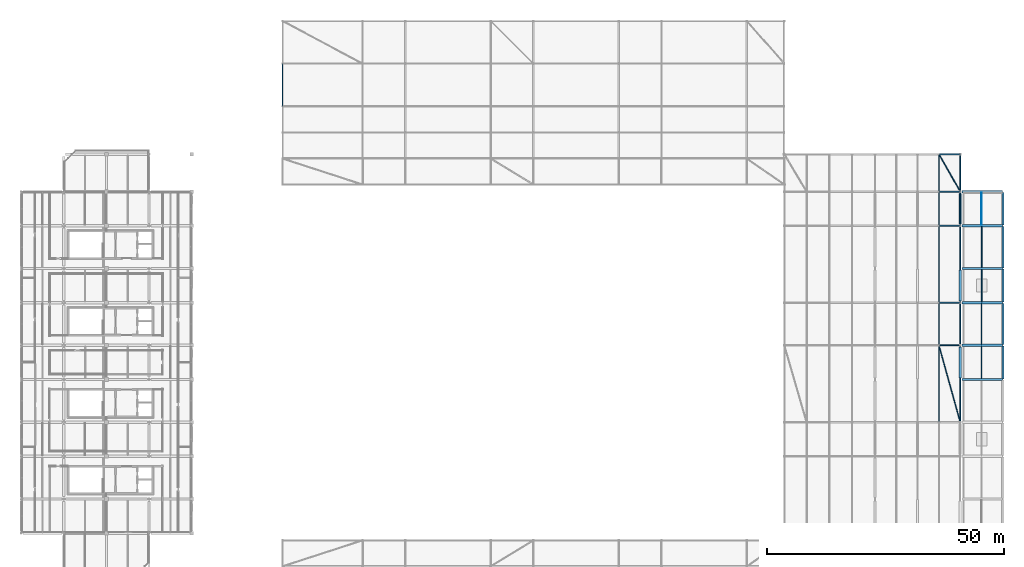
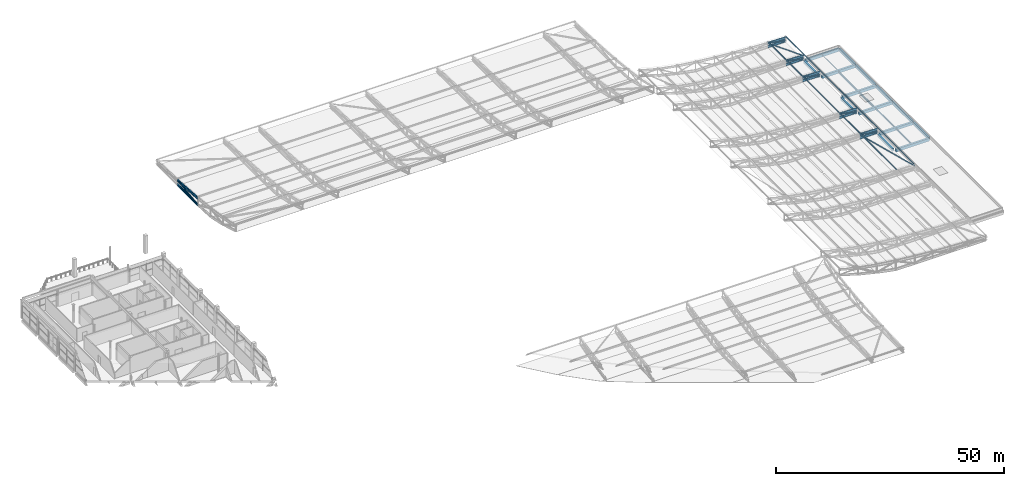
# One storey, part 67 of 114: 31 beams, 18 members.
"""IFC4 building model written with IfcOpenShell, lengths in metres."""

from ifc_helpers import new_model, si_unit, direction, frame, origin, origin_2d, place, context, subcontext, project, spatial, rectangle, hollow_rectangle, hollow_circle, i_section, extrude, material, material_profile, profile_set, type_object, element, save


model = new_model("IFC4")

# Units and contexts
model_context = context("Model", 3, precision=1e-05, world=origin(), true_north=direction((0.0, 1.0)))
body_context = subcontext(model_context, "Body", "Model", "MODEL_VIEW")
ifc_project = project(units=[si_unit("LENGTHUNIT", "METRE"), si_unit("AREAUNIT", "SQUARE_METRE"), si_unit("VOLUMEUNIT", "CUBIC_METRE"), si_unit("PLANEANGLEUNIT", "RADIAN"), si_unit("MASSUNIT", "GRAM", prefix="KILO"), si_unit("THERMODYNAMICTEMPERATUREUNIT", "KELVIN"), si_unit("POWERUNIT", "WATT")], contexts=[model_context])

# Site, building, storey
site_placement = place(None, origin())
site = spatial("IfcSite", under=ifc_project, at=site_placement, CompositionType="ELEMENT")
building_placement = place(site_placement, origin())
building = spatial("IfcBuilding", under=site, at=building_placement, Name="Sindhuravela Promenade Stadium", CompositionType="ELEMENT")
storey_placement = place(building_placement, frame((0.0, 0.0, 24.0)))
storey = spatial("IfcBuildingStorey", under=building, at=storey_placement, Name="L05", CompositionType="ELEMENT", Elevation=24.0)

# Beams
ifc_material_1 = material(Name="Concrete M40", Category="concrete")
ifc_material_profile_1 = material_profile(ifc_material_1, rectangle(XDim=0.449951171875, YDim=0.699951171875, at=origin_2d()), Name="RC 450x700")
ifc_profile_set_1 = profile_set([ifc_material_profile_1], Name="Concrete M40")
beam_type_1 = type_object("IfcBeamType", Name="RC-BM-450x700", PredefinedType="BEAM", material=ifc_profile_set_1)
beam_1_placement = place(storey_placement, frame((198.0, 77.764892578125, -0.594970703125), z_axis=(0.0, 1.0, 0.0), x_axis=(-1.0, 0.0, 0.0)))
element("IfcBeam", 1, at=beam_1_placement, inside=storey, type_object=beam_type_1, Name="Primary beam GB07 EAST L05", PredefinedType="BEAM", context=body_context, shape_type="SweptSolid", body=[
    extrude(rectangle(XDim=0.449951171875, YDim=0.699951171875, at=origin_2d()), origin(), (0.0, 0.0, 1.0), 6.47021484375),
])
for number, where, z_axis, x_axis, name in (
    (2, (198.0, 93.965087890625, -0.594970703125), (0.0, 1.0, 0.0), (-1.0, 0.0, 0.0), "Primary beam GB07 EAST L05"),
    (3, (198.0, 110.1650390625, -0.594970703125), (0.0, 1.0, 0.0), (-1.0, 0.0, 0.0), "Primary beam GB07 EAST L05"),
):
    element("IfcBeam", number, at=place(storey_placement, frame(where, z_axis=z_axis, x_axis=x_axis)), inside=storey, type_object=beam_type_1, Name=name, PredefinedType="BEAM", context=body_context, shape_type="SweptSolid", body=[
        extrude(rectangle(XDim=0.449951171875, YDim=0.699951171875, at=origin_2d()), origin(), (0.0, 0.0, 1.0), 6.469970703125),
    ])
beam_2_placement = place(storey_placement, frame((207.0, 77.5400390625, -0.594970703125), z_axis=(0.0, 1.0, 0.0), x_axis=(-1.0, 0.0, 0.0)))
element("IfcBeam", 4, at=beam_2_placement, inside=storey, type_object=beam_type_1, Name="Primary beam GB07 EAST L05", PredefinedType="BEAM", context=body_context, shape_type="SweptSolid", body=[
    extrude(rectangle(XDim=0.449951171875, YDim=0.699951171875, at=origin_2d()), origin(), (0.0, 0.0, 1.0), 6.919921875),
])
beam_3_placement = place(storey_placement, frame((207.0, 84.739990234375, -0.594970703125), z_axis=(0.0, 1.0, 0.0), x_axis=(-1.0, 0.0, 0.0)))
element("IfcBeam", 5, at=beam_3_placement, inside=storey, type_object=beam_type_1, Name="Primary beam GB07 EAST L05", PredefinedType="BEAM", context=body_context, shape_type="SweptSolid", body=[
    extrude(rectangle(XDim=0.449951171875, YDim=0.699951171875, at=origin_2d()), origin(), (0.0, 0.0, 1.0), 8.719970703125),
])
beam_4_placement = place(storey_placement, frame((207.0, 93.739990234375, -0.594970703125), z_axis=(0.0, 1.0, 0.0), x_axis=(-1.0, 0.0, 0.0)))
element("IfcBeam", 6, at=beam_4_placement, inside=storey, type_object=beam_type_1, Name="Primary beam GB07 EAST L05", PredefinedType="BEAM", context=body_context, shape_type="SweptSolid", body=[
    extrude(rectangle(XDim=0.449951171875, YDim=0.699951171875, at=origin_2d()), origin(), (0.0, 0.0, 1.0), 6.919921875),
])
beam_5_placement = place(storey_placement, frame((207.0, 100.93994140625, -0.594970703125), z_axis=(0.0, 1.0, 0.0), x_axis=(-1.0, 0.0, 0.0)))
element("IfcBeam", 7, at=beam_5_placement, inside=storey, type_object=beam_type_1, Name="Primary beam GB07 EAST L05", PredefinedType="BEAM", context=body_context, shape_type="SweptSolid", body=[
    extrude(rectangle(XDim=0.449951171875, YDim=0.699951171875, at=origin_2d()), origin(), (0.0, 0.0, 1.0), 8.719970703125),
])
beam_6_placement = place(storey_placement, frame((207.0, 109.93994140625, -0.594970703125), z_axis=(0.0, 1.0, 0.0), x_axis=(-1.0, 0.0, 0.0)))
element("IfcBeam", 8, at=beam_6_placement, inside=storey, type_object=beam_type_1, Name="Primary beam GB07 EAST L05", PredefinedType="BEAM", context=body_context, shape_type="SweptSolid", body=[
    extrude(rectangle(XDim=0.449951171875, YDim=0.699951171875, at=origin_2d()), origin(), (0.0, 0.0, 1.0), 6.920166015625),
])
ifc_material_profile_2 = material_profile(ifc_material_1, rectangle(XDim=0.5, YDim=0.75, at=origin_2d()), Name="RC 500x750")
ifc_profile_set_2 = profile_set([ifc_material_profile_2], Name="Concrete M40")
beam_type_2 = type_object("IfcBeamType", Name="RC-BM-500x750", PredefinedType="BEAM", material=ifc_profile_set_2)
for number, where, z_axis, x_axis, name in (
    (9, (198.364990234375, 77.39990234375, -0.6201171875), (1.0, 0.0, 0.0), (0.0, 1.0, 0.0), "Primary girder GB06 EAST L05"),
    (10, (198.364990234375, 84.60009765625, -0.6201171875), (1.0, 0.0, 0.0), (0.0, 1.0, 0.0), "Primary girder GB06 EAST L05"),
    (11, (198.364990234375, 93.60009765625, -0.6201171875), (1.0, 0.0, 0.0), (0.0, 1.0, 0.0), "Primary girder GB06 EAST L05"),
    (12, (198.364990234375, 100.800048828125, -0.6201171875), (1.0, 0.0, 0.0), (0.0, 1.0, 0.0), "Primary girder GB06 EAST L05"),
    (13, (198.364990234375, 109.800048828125, -0.6201171875), (1.0, 0.0, 0.0), (0.0, 1.0, 0.0), "Primary girder GB06 EAST L05"),
    (14, (198.364990234375, 117.0, -0.6201171875), (1.0, 0.0, 0.0), (0.0, 1.0, 0.0), "Primary girder GB06 EAST L05"),
):
    element("IfcBeam", number, at=place(storey_placement, frame(where, z_axis=z_axis, x_axis=x_axis)), inside=storey, type_object=beam_type_2, Name=name, PredefinedType="BEAM", context=body_context, shape_type="SweptSolid", body=[
        extrude(rectangle(XDim=0.5, YDim=0.75, at=origin_2d()), origin(), (0.0, 0.0, 1.0), 8.4951171875),
    ])
ifc_material_2 = material(Name="Steel E350 (IS 2062 E350BR)", Category="steel")
ifc_material_profile_3 = material_profile(ifc_material_2, hollow_rectangle(XDim=0.10009765625, YDim=0.199951171875, WallThickness=0.008056640625, at=origin_2d()), Name="RHS 200x100x8")
ifc_profile_set_3 = profile_set([ifc_material_profile_3], Name="Steel E350 (IS 2062 E350BR)")
beam_type_3 = type_object("IfcBeamType", Name="ST-BM-LNT200", PredefinedType="LINTEL", material=ifc_profile_set_3)
beam_7_placement = place(storey_placement, frame((202.5, 110.0400390625, -0.344970703125), z_axis=(0.0, 1.0, 0.0), x_axis=(-1.0, 0.0, 0.0)))
element("IfcBeam", 15, at=beam_7_placement, inside=storey, type_object=beam_type_3, Name="Secondary floor joist LN01 EAST L05", PredefinedType="LINTEL", context=body_context, shape_type="SweptSolid", body=[
    extrude(hollow_rectangle(XDim=0.10009765625, YDim=0.199951171875, WallThickness=0.008056640625, at=origin_2d()), origin(), (0.0, 0.0, 1.0), 6.719970703125),
])
ifc_material_profile_4 = material_profile(ifc_material_2, i_section(OverallWidth=0.139892578125, OverallDepth=0.39990234375, WebThickness=0.0087890625, FlangeThickness=0.01611328125, FilletRadius=0.013916015625, at=origin_2d()), Name="ISMB 400")
ifc_profile_set_4 = profile_set([ifc_material_profile_4], Name="Steel E350 (IS 2062 E350BR)")
beam_type_4 = type_object("IfcBeamType", Name="ST-BM-MB400", PredefinedType="BEAM", material=ifc_profile_set_4)
beam_8_placement = place(storey_placement, frame((202.5, 77.639892578125, -0.445068359375), z_axis=(0.0, 1.0, 0.0), x_axis=(-1.0, 0.0, 0.0)))
element("IfcBeam", 16, at=beam_8_placement, inside=storey, type_object=beam_type_4, Name="Secondary floor joist SB05 EAST L05", PredefinedType="BEAM", context=body_context, shape_type="SweptSolid", body=[
    extrude(i_section(OverallWidth=0.139892578125, OverallDepth=0.39990234375, WebThickness=0.0087890625, FlangeThickness=0.01611328125, FilletRadius=0.013916015625, at=origin_2d()), origin(), (0.0, 0.0, 1.0), 6.72021484375),
])
ifc_material_profile_5 = material_profile(ifc_material_2, i_section(OverallWidth=0.14990234375, OverallDepth=0.449951171875, WebThickness=0.009521484375, FlangeThickness=0.017333984375, FilletRadius=0.014892578125, at=origin_2d()), Name="ISMB 450")
ifc_profile_set_5 = profile_set([ifc_material_profile_5], Name="Steel E350 (IS 2062 E350BR)")
beam_type_5 = type_object("IfcBeamType", Name="ST-BM-MB450", PredefinedType="BEAM", material=ifc_profile_set_5)
beam_9_placement = place(storey_placement, frame((202.5, 84.840087890625, -0.469970703125), z_axis=(0.0, 1.0, 0.0), x_axis=(-1.0, 0.0, 0.0)))
element("IfcBeam", 17, at=beam_9_placement, inside=storey, type_object=beam_type_5, Name="Secondary floor joist SB06 EAST L05", PredefinedType="BEAM", context=body_context, shape_type="SweptSolid", body=[
    extrude(i_section(OverallWidth=0.14990234375, OverallDepth=0.449951171875, WebThickness=0.009521484375, FlangeThickness=0.017333984375, FilletRadius=0.014892578125, at=origin_2d()), origin(), (0.0, 0.0, 1.0), 8.52001953125),
])
ifc_material_profile_6 = material_profile(ifc_material_2, i_section(OverallWidth=0.18994140625, OverallDepth=0.550048828125, WebThickness=0.01123046875, FlangeThickness=0.019287109375, FilletRadius=0.01806640625, at=origin_2d()), Name="ISMB 550")
ifc_profile_set_6 = profile_set([ifc_material_profile_6], Name="Steel E350 (IS 2062 E350BR)")
beam_type_6 = type_object("IfcBeamType", Name="ST-BM-MB550", PredefinedType="SPANDREL", material=ifc_profile_set_6)
beam_10_placement = place(storey_placement, frame((202.5, 93.840087890625, -0.52001953125), z_axis=(0.0, 1.0, 0.0), x_axis=(-1.0, 0.0, 0.0)))
element("IfcBeam", 18, at=beam_10_placement, inside=storey, type_object=beam_type_6, Name="Secondary floor joist SB08 EAST L05", PredefinedType="SPANDREL", context=body_context, shape_type="SweptSolid", body=[
    extrude(i_section(OverallWidth=0.18994140625, OverallDepth=0.550048828125, WebThickness=0.01123046875, FlangeThickness=0.019287109375, FilletRadius=0.01806640625, at=origin_2d()), origin(), (0.0, 0.0, 1.0), 6.719970703125),
])
ifc_material_profile_7 = material_profile(ifc_material_2, i_section(OverallWidth=0.2099609375, OverallDepth=0.60009765625, WebThickness=0.011962890625, FlangeThickness=0.020751953125, FilletRadius=0.02001953125, at=origin_2d()), Name="ISMB 600")
ifc_profile_set_7 = profile_set([ifc_material_profile_7], Name="Steel E350 (IS 2062 E350BR)")
beam_type_7 = type_object("IfcBeamType", Name="ST-BM-MB600", PredefinedType="BEAM", material=ifc_profile_set_7)
beam_11_placement = place(storey_placement, frame((202.5, 101.0400390625, -0.544921875), z_axis=(0.0, 1.0, 0.0), x_axis=(-1.0, 0.0, 0.0)))
element("IfcBeam", 19, at=beam_11_placement, inside=storey, type_object=beam_type_7, Name="Secondary floor joist SB09 EAST L05", PredefinedType="BEAM", context=body_context, shape_type="SweptSolid", body=[
    extrude(i_section(OverallWidth=0.2099609375, OverallDepth=0.60009765625, WebThickness=0.011962890625, FlangeThickness=0.020751953125, FilletRadius=0.02001953125, at=origin_2d()), origin(), (0.0, 0.0, 1.0), 8.52001953125),
])
ifc_material_profile_8 = material_profile(ifc_material_2, i_section(OverallWidth=0.25, OverallDepth=0.60009765625, WebThickness=0.01171875, FlangeThickness=0.023681640625, FilletRadius=0.01708984375, at=origin_2d()), Name="ISWB 600")
ifc_profile_set_8 = profile_set([ifc_material_profile_8], Name="Steel E350 (IS 2062 E350BR)")
beam_type_8 = type_object("IfcBeamType", Name="ST-BM-WB600", PredefinedType="USERDEFINED", material=ifc_profile_set_8)
beam_12_placement = place(storey_placement, frame((198.0, 84.60009765625, 0.800048828125), z_axis=(-0.9995790230322986, 0.0, 0.02901338852659938), x_axis=(0.0, -1.0, 0.0)))
element("IfcBeam", 20, at=beam_12_placement, inside=storey, type_object=beam_type_8, Name="Roof truss RT-E05 top chord 1", ObjectType="ROOF TRUSS", PredefinedType="USERDEFINED", context=body_context, shape_type="SweptSolid", body=[
    extrude(i_section(OverallWidth=0.25, OverallDepth=0.60009765625, WebThickness=0.01171875, FlangeThickness=0.023681640625, FilletRadius=0.01708984375, at=origin_2d()), origin(), (0.0, 0.0, 1.0), 4.501953125),
])
beam_13_placement = place(storey_placement, frame((198.0, 84.60009765625, 0.0), z_axis=(-1.0, 0.0, 0.0), x_axis=(0.0, -1.0, 0.0)))
element("IfcBeam", 21, at=beam_13_placement, inside=storey, type_object=beam_type_8, Name="Roof truss RT-E05 bottom chord 1", ObjectType="ROOF TRUSS", PredefinedType="USERDEFINED", context=body_context, shape_type="SweptSolid", body=[
    extrude(i_section(OverallWidth=0.25, OverallDepth=0.60009765625, WebThickness=0.01171875, FlangeThickness=0.023681640625, FilletRadius=0.01708984375, at=origin_2d()), origin(), (0.0, 0.0, 1.0), 4.5),
])
beam_14_placement = place(storey_placement, frame((198.0, 93.60009765625, 0.800048828125), z_axis=(-0.9995790230322986, 0.0, 0.02901338852659938), x_axis=(0.0, -1.0, 0.0)))
element("IfcBeam", 22, at=beam_14_placement, inside=storey, type_object=beam_type_8, Name="Roof truss RT-E06 top chord 1", ObjectType="ROOF TRUSS", PredefinedType="USERDEFINED", context=body_context, shape_type="SweptSolid", body=[
    extrude(i_section(OverallWidth=0.25, OverallDepth=0.60009765625, WebThickness=0.01171875, FlangeThickness=0.023681640625, FilletRadius=0.01708984375, at=origin_2d()), origin(), (0.0, 0.0, 1.0), 4.501953125),
])
beam_15_placement = place(storey_placement, frame((198.0, 93.60009765625, 0.0), z_axis=(-1.0, 0.0, 0.0), x_axis=(0.0, -1.0, 0.0)))
element("IfcBeam", 23, at=beam_15_placement, inside=storey, type_object=beam_type_8, Name="Roof truss RT-E06 bottom chord 1", ObjectType="ROOF TRUSS", PredefinedType="USERDEFINED", context=body_context, shape_type="SweptSolid", body=[
    extrude(i_section(OverallWidth=0.25, OverallDepth=0.60009765625, WebThickness=0.01171875, FlangeThickness=0.023681640625, FilletRadius=0.01708984375, at=origin_2d()), origin(), (0.0, 0.0, 1.0), 4.5),
])
beam_16_placement = place(storey_placement, frame((198.0, 109.800048828125, 0.800048828125), z_axis=(-0.9995790230322986, 0.0, 0.02901338852659938), x_axis=(0.0, -1.0, 0.0)))
element("IfcBeam", 24, at=beam_16_placement, inside=storey, type_object=beam_type_8, Name="Roof truss RT-E07 top chord 1", ObjectType="ROOF TRUSS", PredefinedType="USERDEFINED", context=body_context, shape_type="SweptSolid", body=[
    extrude(i_section(OverallWidth=0.25, OverallDepth=0.60009765625, WebThickness=0.01171875, FlangeThickness=0.023681640625, FilletRadius=0.01708984375, at=origin_2d()), origin(), (0.0, 0.0, 1.0), 4.501953125),
])
beam_17_placement = place(storey_placement, frame((198.0, 109.800048828125, 0.0), z_axis=(-1.0, 0.0, 0.0), x_axis=(0.0, -1.0, 0.0)))
element("IfcBeam", 25, at=beam_17_placement, inside=storey, type_object=beam_type_8, Name="Roof truss RT-E07 bottom chord 1", ObjectType="ROOF TRUSS", PredefinedType="USERDEFINED", context=body_context, shape_type="SweptSolid", body=[
    extrude(i_section(OverallWidth=0.25, OverallDepth=0.60009765625, WebThickness=0.01171875, FlangeThickness=0.023681640625, FilletRadius=0.01708984375, at=origin_2d()), origin(), (0.0, 0.0, 1.0), 4.5),
])
beam_18_placement = place(storey_placement, frame((198.0, 117.0, 0.800048828125), z_axis=(-0.9995790230322986, 0.0, 0.02901338852659938), x_axis=(0.0, -1.0, 0.0)))
element("IfcBeam", 26, at=beam_18_placement, inside=storey, type_object=beam_type_8, Name="Roof truss RT-E08 top chord 1", ObjectType="ROOF TRUSS", PredefinedType="USERDEFINED", context=body_context, shape_type="SweptSolid", body=[
    extrude(i_section(OverallWidth=0.25, OverallDepth=0.60009765625, WebThickness=0.01171875, FlangeThickness=0.023681640625, FilletRadius=0.01708984375, at=origin_2d()), origin(), (0.0, 0.0, 1.0), 4.501953125),
])
beam_19_placement = place(storey_placement, frame((198.0, 117.0, 0.0), z_axis=(-1.0, 0.0, 0.0), x_axis=(0.0, -1.0, 0.0)))
element("IfcBeam", 27, at=beam_19_placement, inside=storey, type_object=beam_type_8, Name="Roof truss RT-E08 bottom chord 1", ObjectType="ROOF TRUSS", PredefinedType="USERDEFINED", context=body_context, shape_type="SweptSolid", body=[
    extrude(i_section(OverallWidth=0.25, OverallDepth=0.60009765625, WebThickness=0.01171875, FlangeThickness=0.023681640625, FilletRadius=0.01708984375, at=origin_2d()), origin(), (0.0, 0.0, 1.0), 4.5),
])
beam_20_placement = place(storey_placement, frame((198.0, 124.89990234375, 0.800048828125), z_axis=(-0.9995790230322986, 0.0, 0.02901338852659938), x_axis=(0.0, -1.0, 0.0)))
element("IfcBeam", 28, at=beam_20_placement, inside=storey, type_object=beam_type_8, Name="Roof truss RT-E09 top chord 1", ObjectType="ROOF TRUSS", PredefinedType="USERDEFINED", context=body_context, shape_type="SweptSolid", body=[
    extrude(i_section(OverallWidth=0.25, OverallDepth=0.60009765625, WebThickness=0.01171875, FlangeThickness=0.023681640625, FilletRadius=0.01708984375, at=origin_2d()), origin(), (0.0, 0.0, 1.0), 4.501953125),
])
beam_21_placement = place(storey_placement, frame((198.0, 124.89990234375, 0.0), z_axis=(-1.0, 0.0, 0.0), x_axis=(0.0, -1.0, 0.0)))
element("IfcBeam", 29, at=beam_21_placement, inside=storey, type_object=beam_type_8, Name="Roof truss RT-E09 bottom chord 1", ObjectType="ROOF TRUSS", PredefinedType="USERDEFINED", context=body_context, shape_type="SweptSolid", body=[
    extrude(i_section(OverallWidth=0.25, OverallDepth=0.60009765625, WebThickness=0.01171875, FlangeThickness=0.023681640625, FilletRadius=0.01708984375, at=origin_2d()), origin(), (0.0, 0.0, 1.0), 4.5),
])
beam_22_placement = place(storey_placement, frame((55.10009765625, 144.0, 1.127197265625), z_axis=(0.0, -0.9975125305940163, 0.07048937017679613), x_axis=(1.0, 0.0, 0.0)))
element("IfcBeam", 30, at=beam_22_placement, inside=storey, type_object=beam_type_8, Name="Roof truss RT-N01 top chord 2", ObjectType="ROOF TRUSS", PredefinedType="USERDEFINED", context=body_context, shape_type="SweptSolid", body=[
    extrude(i_section(OverallWidth=0.25, OverallDepth=0.60009765625, WebThickness=0.01171875, FlangeThickness=0.023681640625, FilletRadius=0.01708984375, at=origin_2d()), origin(), (0.0, 0.0, 1.0), 9.0224609375),
])
beam_23_placement = place(storey_placement, frame((55.10009765625, 144.0, 0.0), z_axis=(0.0, -1.0, 0.0), x_axis=(1.0, 0.0, 0.0)))
element("IfcBeam", 31, at=beam_23_placement, inside=storey, type_object=beam_type_8, Name="Roof truss RT-N01 bottom chord 2", ObjectType="ROOF TRUSS", PredefinedType="USERDEFINED", context=body_context, shape_type="SweptSolid", body=[
    extrude(i_section(OverallWidth=0.25, OverallDepth=0.60009765625, WebThickness=0.01171875, FlangeThickness=0.023681640625, FilletRadius=0.01708984375, at=origin_2d()), origin(), (0.0, 0.0, 1.0), 9.0),
])

# Members
ifc_material_profile_9 = material_profile(ifc_material_2, hollow_circle(Radius=0.084228515625, WallThickness=0.008056640625, at=origin_2d()), Name="CHS 168.3x8")
ifc_profile_set_9 = profile_set([ifc_material_profile_9], Name="Steel E350 (IS 2062 E350BR)")
member_type_1 = type_object("IfcMemberType", Name="ST-MB-CHS168", PredefinedType="BRACE", material=ifc_profile_set_9)
member_1_placement = place(storey_placement, frame((198.0, 68.39990234375, 0.800048828125), z_axis=(-0.2676327926466839, 0.9634896695346872, 0.007768204430662754), x_axis=(-0.9635187417425564, -0.26764086816261984, 0.0)))
element("IfcMember", 32, at=member_1_placement, inside=storey, type_object=member_type_1, Name="Roof wind brace MB03 E bay 4", PredefinedType="BRACE", context=body_context, shape_type="SweptSolid", body=[
    extrude(hollow_circle(Radius=0.084228515625, WallThickness=0.008056640625, at=origin_2d()), origin(), (0.0, 0.0, 1.0), 16.81396484375),
])
member_2_placement = place(storey_placement, frame((198.0, 117.0, 0.800048828125), z_axis=(-0.49490752024867096, 0.868826906478217, 0.014364991500273382), x_axis=(-0.8689165628650795, -0.4949585909737667, 0.0)))
element("IfcMember", 33, at=member_2_placement, inside=storey, type_object=member_type_1, Name="Roof wind brace MB03 E bay 8", PredefinedType="BRACE", context=body_context, shape_type="SweptSolid", body=[
    extrude(hollow_circle(Radius=0.084228515625, WallThickness=0.008056640625, at=origin_2d()), origin(), (0.0, 0.0, 1.0), 9.092529296875),
])
ifc_material_profile_10 = material_profile(ifc_material_2, hollow_circle(Radius=0.136474609375, WallThickness=0.010009765625, at=origin_2d()), Name="CHS 273.0x10")
ifc_profile_set_10 = profile_set([ifc_material_profile_10], Name="Steel E350 (IS 2062 E350BR)")
member_type_2 = type_object("IfcMemberType", Name="ST-MB-CHS273", PredefinedType="BRACE", material=ifc_profile_set_10)
for number, where, z_axis, x_axis, name in (
    (34, (198.0, 84.60009765625, 0.0), (-0.9792764097222669, 0.0, 0.2025283026183421), (0.0, -1.0, 0.0), "Roof truss RT-E05 diagonal web 1"),
    (35, (198.0, 93.60009765625, 0.0), (-0.9792764097222669, 0.0, 0.2025283026183421), (0.0, -1.0, 0.0), "Roof truss RT-E06 diagonal web 1"),
    (36, (198.0, 109.800048828125, 0.0), (-0.9792764097222669, 0.0, 0.2025283026183421), (0.0, -1.0, 0.0), "Roof truss RT-E07 diagonal web 1"),
    (37, (198.0, 117.0, 0.0), (-0.9792764097222669, 0.0, 0.2025283026183421), (0.0, -1.0, 0.0), "Roof truss RT-E08 diagonal web 1"),
    (38, (198.0, 124.89990234375, 0.0), (-0.9792764097222669, 0.0, 0.2025283026183421), (0.0, -1.0, 0.0), "Roof truss RT-E09 diagonal web 1"),
):
    element("IfcMember", number, at=place(storey_placement, frame(where, z_axis=z_axis, x_axis=x_axis)), inside=storey, type_object=member_type_2, Name=name, PredefinedType="BRACE", context=body_context, shape_type="SweptSolid", body=[
        extrude(hollow_circle(Radius=0.136474609375, WallThickness=0.010009765625, at=origin_2d()), origin(), (0.0, 0.0, 1.0), 4.59521484375),
    ])
member_3_placement = place(storey_placement, frame((55.10009765625, 144.0, 1.127197265625), z_axis=(0.0, -0.9922480329009012, -0.12427325216752011), x_axis=(1.0, 0.0, 0.0)))
element("IfcMember", 39, at=member_3_placement, inside=storey, type_object=member_type_2, Name="Roof truss RT-N01 diagonal web 2", PredefinedType="BRACE", context=body_context, shape_type="SweptSolid", body=[
    extrude(hollow_circle(Radius=0.136474609375, WallThickness=0.010009765625, at=origin_2d()), origin(), (0.0, 0.0, 1.0), 9.0703125),
])
ifc_material_profile_11 = material_profile(ifc_material_2, hollow_rectangle(XDim=0.14990234375, YDim=0.25, WallThickness=0.010009765625, at=origin_2d()), Name="RHS 250x150x10")
ifc_profile_set_11 = profile_set([ifc_material_profile_11], Name="Steel E350 (IS 2062 E350BR)")
member_type_3 = type_object("IfcMemberType", Name="ST-MB-RHS250", PredefinedType="PURLIN", material=ifc_profile_set_11)
for number, where, z_axis, x_axis, name in (
    (40, (198.0, 68.39990234375, 1.19189453125), (0.0, 1.0, 0.0), (-1.0, 0.0, 0.0), "Roof purlin PR01 E bay 4.1"),
    (41, (193.5, 68.39990234375, 1.32275390625), (0.0, 1.0, 0.0), (-1.0, 0.0, 0.0), "Roof purlin PR01 E bay 4.2"),
):
    element("IfcMember", number, at=place(storey_placement, frame(where, z_axis=z_axis, x_axis=x_axis)), inside=storey, type_object=member_type_3, Name=name, PredefinedType="PURLIN", context=body_context, shape_type="SweptSolid", body=[
        extrude(hollow_rectangle(XDim=0.14990234375, YDim=0.25, WallThickness=0.010009765625, at=origin_2d()), origin(), (0.0, 0.0, 1.0), 16.2001953125),
    ])
for number, where, z_axis, x_axis, name in (
    (42, (198.0, 84.60009765625, 1.19189453125), (0.0, 1.0, 0.0), (-1.0, 0.0, 0.0), "Roof purlin PR01 E bay 5.1"),
    (43, (193.5, 84.60009765625, 1.32275390625), (0.0, 1.0, 0.0), (-1.0, 0.0, 0.0), "Roof purlin PR01 E bay 5.2"),
):
    element("IfcMember", number, at=place(storey_placement, frame(where, z_axis=z_axis, x_axis=x_axis)), inside=storey, type_object=member_type_3, Name=name, PredefinedType="PURLIN", context=body_context, shape_type="SweptSolid", body=[
        extrude(hollow_rectangle(XDim=0.14990234375, YDim=0.25, WallThickness=0.010009765625, at=origin_2d()), origin(), (0.0, 0.0, 1.0), 9.0),
    ])
for number, where, z_axis, x_axis, name in (
    (44, (198.0, 93.60009765625, 1.19189453125), (0.0, 1.0, 0.0), (-1.0, 0.0, 0.0), "Roof purlin PR01 E bay 6.1"),
    (45, (193.5, 93.60009765625, 1.32275390625), (0.0, 1.0, 0.0), (-1.0, 0.0, 0.0), "Roof purlin PR01 E bay 6.2"),
):
    element("IfcMember", number, at=place(storey_placement, frame(where, z_axis=z_axis, x_axis=x_axis)), inside=storey, type_object=member_type_3, Name=name, PredefinedType="PURLIN", context=body_context, shape_type="SweptSolid", body=[
        extrude(hollow_rectangle(XDim=0.14990234375, YDim=0.25, WallThickness=0.010009765625, at=origin_2d()), origin(), (0.0, 0.0, 1.0), 16.199951171875),
    ])
for number, where, z_axis, x_axis, name in (
    (46, (198.0, 109.800048828125, 1.19189453125), (0.0, 1.0, 0.0), (-1.0, 0.0, 0.0), "Roof purlin PR01 E bay 7.1"),
    (47, (193.5, 109.800048828125, 1.32275390625), (0.0, 1.0, 0.0), (-1.0, 0.0, 0.0), "Roof purlin PR01 E bay 7.2"),
):
    element("IfcMember", number, at=place(storey_placement, frame(where, z_axis=z_axis, x_axis=x_axis)), inside=storey, type_object=member_type_3, Name=name, PredefinedType="PURLIN", context=body_context, shape_type="SweptSolid", body=[
        extrude(hollow_rectangle(XDim=0.14990234375, YDim=0.25, WallThickness=0.010009765625, at=origin_2d()), origin(), (0.0, 0.0, 1.0), 7.199951171875),
    ])
for number, where, z_axis, x_axis, name in (
    (48, (198.0, 117.0, 1.19189453125), (0.0, 1.0, 0.0), (-1.0, 0.0, 0.0), "Roof purlin PR01 E bay 8.1"),
    (49, (193.5, 117.0, 1.32275390625), (0.0, 1.0, 0.0), (-1.0, 0.0, 0.0), "Roof purlin PR01 E bay 8.2"),
):
    element("IfcMember", number, at=place(storey_placement, frame(where, z_axis=z_axis, x_axis=x_axis)), inside=storey, type_object=member_type_3, Name=name, PredefinedType="PURLIN", context=body_context, shape_type="SweptSolid", body=[
        extrude(hollow_rectangle(XDim=0.14990234375, YDim=0.25, WallThickness=0.010009765625, at=origin_2d()), origin(), (0.0, 0.0, 1.0), 7.89990234375),
    ])

save(model, "model.ifc")
